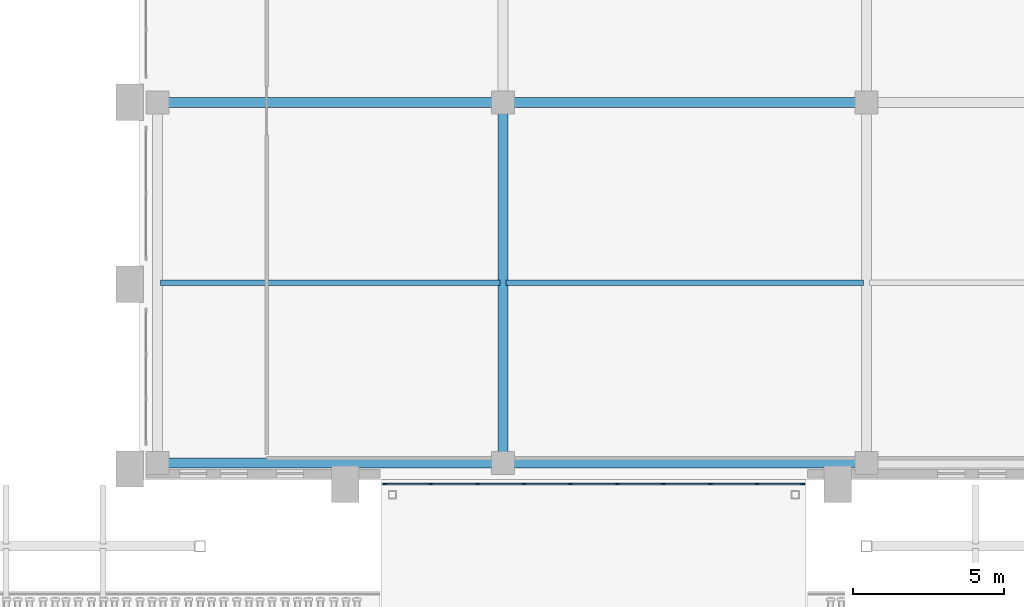
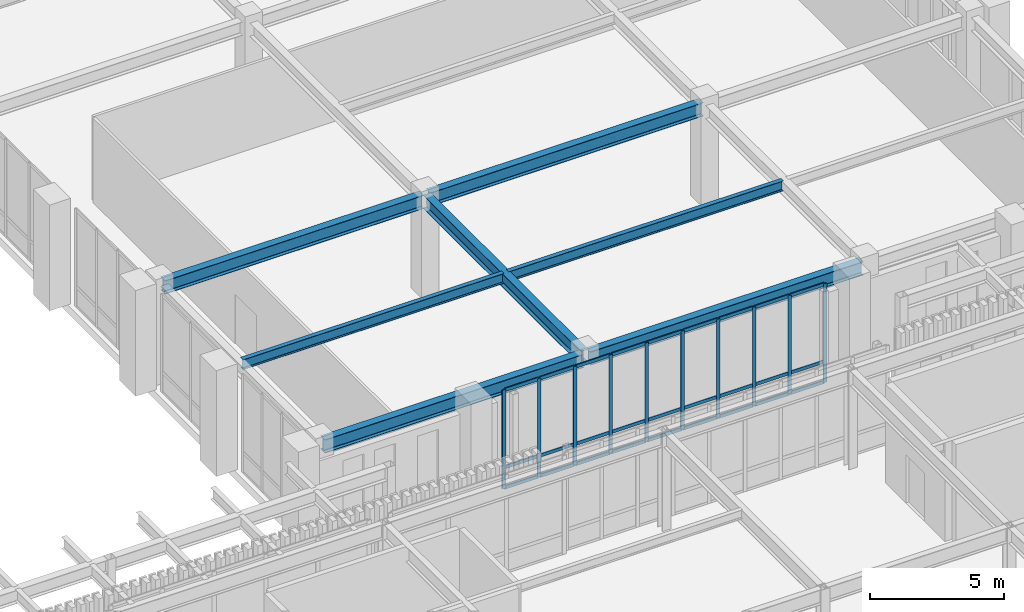
# One storey, part 60 of 126: 37 members, 7 beams, 1 element without a shape of its own.
"""IFC4 building model written with IfcOpenShell, lengths in metres."""

from ifc_helpers import new_model, si_unit, derived_unit, direction, frame, origin, origin_2d, place, context, subcontext, project, spatial, rectangle, i_section, extrude, material, layer, layer_set, material_profile, profile_set, type_object, element, aggregate, save


model = new_model("IFC4")

# Units and contexts
model_context = context("Model", 3, precision=1e-05, world=origin(), true_north=direction((0.0, 1.0)))
body_context = subcontext(model_context, "Body", "Model", "MODEL_VIEW")
ifc_project = project(units=[si_unit("LENGTHUNIT", "METRE"), si_unit("AREAUNIT", "SQUARE_METRE"), si_unit("VOLUMEUNIT", "CUBIC_METRE"), si_unit("PLANEANGLEUNIT", "RADIAN"), si_unit("MASSUNIT", "GRAM", prefix="KILO"), derived_unit("THERMALTRANSMITTANCEUNIT", [(si_unit("MASSUNIT", "GRAM", prefix="KILO"), 1), (si_unit("TIMEUNIT", "SECOND"), -3), (si_unit("THERMODYNAMICTEMPERATUREUNIT", "KELVIN"), -1)])], contexts=[model_context])

# Site, building, storey
site_placement = place(None, origin())
site = spatial("IfcSite", under=ifc_project, at=site_placement, CompositionType="ELEMENT")
building_placement = place(site_placement, origin())
building = spatial("IfcBuilding", under=site, at=building_placement, Name="Valcora Ridge Arena", CompositionType="ELEMENT")
storey_placement = place(building_placement, frame((0.0, 0.0, 11.39990234375)))
storey = spatial("IfcBuildingStorey", under=building, at=storey_placement, Name="L02", CompositionType="ELEMENT", Elevation=11.39990234375)

# Beams
ifc_material_1 = material(Name="Steel ASTM A572 Grade 50", Category="steel")
ifc_material_profile_1 = material_profile(ifc_material_1, i_section(OverallWidth=0.324951171875, OverallDepth=0.612060546875, WebThickness=0.0126953125, FlangeThickness=0.01904296875, FilletRadius=0.01806640625, at=origin_2d()), Name="W24X104")
ifc_profile_set_1 = profile_set([ifc_material_profile_1], Name="Steel ASTM A572 Grade 50")
beam_type_1 = type_object("IfcBeamType", Name="TY-BEAM-G-W24X104-X", PredefinedType="BEAM", material=ifc_profile_set_1)
beam_1_placement = place(storey_placement, frame((156.739990234375, 95.60009765625, 4.14404296875), z_axis=(1.0, 0.0, 0.0), x_axis=(0.0, 1.0, 0.0)))
element("IfcBeam", 1, at=beam_1_placement, inside=storey, type_object=beam_type_1, Name="G-W24X104-X BEM-G-W24X104-X-0063", PredefinedType="BEAM", context=body_context, shape_type="SweptSolid", body=[
    extrude(i_section(OverallWidth=0.324951171875, OverallDepth=0.612060546875, WebThickness=0.0126953125, FlangeThickness=0.01904296875, FilletRadius=0.01806640625, at=origin_2d()), origin(), (0.0, 0.0, 1.0), 11.1201171875),
])
beam_2_placement = place(storey_placement, frame((168.139892578125, 95.60009765625, 4.14404296875), z_axis=(1.0, 0.0, 0.0), x_axis=(0.0, 1.0, 0.0)))
element("IfcBeam", 2, at=beam_2_placement, inside=storey, type_object=beam_type_1, Name="G-W24X104-X BEM-G-W24X104-X-0064", PredefinedType="BEAM", context=body_context, shape_type="SweptSolid", body=[
    extrude(i_section(OverallWidth=0.324951171875, OverallDepth=0.612060546875, WebThickness=0.0126953125, FlangeThickness=0.01904296875, FilletRadius=0.01806640625, at=origin_2d()), origin(), (0.0, 0.0, 1.0), 11.72021484375),
])
ifc_material_profile_2 = material_profile(ifc_material_1, i_section(OverallWidth=0.324951171875, OverallDepth=0.612060546875, WebThickness=0.0126953125, FlangeThickness=0.01904296875, FilletRadius=0.01806640625, at=origin_2d()), Name="W24X104")
ifc_profile_set_2 = profile_set([ifc_material_profile_2], Name="Steel ASTM A572 Grade 50")
beam_type_2 = type_object("IfcBeamType", Name="TY-BEAM-G-W24X104-Y", PredefinedType="BEAM", material=ifc_profile_set_2)
beam_3_placement = place(storey_placement, frame((168.0, 83.840087890625, 4.14404296875), z_axis=(0.0, 1.0, 0.0), x_axis=(-1.0, 0.0, 0.0)))
element("IfcBeam", 3, at=beam_3_placement, inside=storey, type_object=beam_type_2, Name="G-W24X104-Y BEM-G-W24X104-Y-0097", PredefinedType="BEAM", context=body_context, shape_type="SweptSolid", body=[
    extrude(i_section(OverallWidth=0.324951171875, OverallDepth=0.612060546875, WebThickness=0.0126953125, FlangeThickness=0.01904296875, FilletRadius=0.01806640625, at=origin_2d()), origin(), (0.0, 0.0, 1.0), 11.619873046875),
])
ifc_material_profile_3 = material_profile(ifc_material_1, i_section(OverallWidth=0.18994140625, OverallDepth=0.45703125, WebThickness=0.009033203125, FlangeThickness=0.014404296875, FilletRadius=0.014892578125, at=origin_2d()), Name="W18X50")
ifc_profile_set_3 = profile_set([ifc_material_profile_3], Name="Steel ASTM A572 Grade 50")
beam_type_3 = type_object("IfcBeamType", Name="TY-BEAM-J-W18X50", PredefinedType="JOIST", material=ifc_profile_set_3)
beam_4_placement = place(storey_placement, frame((156.699951171875, 89.64990234375, 4.2216796875), z_axis=(1.0, 0.0, 0.0), x_axis=(0.0, 1.0, 0.0)))
element("IfcBeam", 4, at=beam_4_placement, inside=storey, type_object=beam_type_3, Name="J-W18X50 BEM-J-W18X50-0070", PredefinedType="JOIST", context=body_context, shape_type="SweptSolid", body=[
    extrude(i_section(OverallWidth=0.18994140625, OverallDepth=0.45703125, WebThickness=0.009033203125, FlangeThickness=0.014404296875, FilletRadius=0.014892578125, at=origin_2d()), origin(), (0.0, 0.0, 1.0), 11.199951171875),
])
beam_5_placement = place(storey_placement, frame((168.10009765625, 89.64990234375, 4.2216796875), z_axis=(1.0, 0.0, 0.0), x_axis=(0.0, 1.0, 0.0)))
element("IfcBeam", 5, at=beam_5_placement, inside=storey, type_object=beam_type_3, Name="J-W18X50 BEM-J-W18X50-0071", PredefinedType="JOIST", context=body_context, shape_type="SweptSolid", body=[
    extrude(i_section(OverallWidth=0.18994140625, OverallDepth=0.45703125, WebThickness=0.009033203125, FlangeThickness=0.014404296875, FilletRadius=0.014892578125, at=origin_2d()), origin(), (0.0, 0.0, 1.0), 11.7998046875),
])
ifc_material_profile_4 = material_profile(ifc_material_1, i_section(OverallWidth=0.324951171875, OverallDepth=0.612060546875, WebThickness=0.0126953125, FlangeThickness=0.01904296875, FilletRadius=0.01806640625, at=origin_2d()), Name="W24X104")
ifc_profile_set_4 = profile_set([ifc_material_profile_4], Name="Steel ASTM A572 Grade 50")
beam_type_4 = type_object("IfcBeamType", Name="TY-BEAM-SP-W24X104", PredefinedType="SPANDREL", material=ifc_profile_set_4)
beam_6_placement = place(storey_placement, frame((156.739990234375, 83.699951171875, 4.14404296875), z_axis=(1.0, 0.0, 0.0), x_axis=(0.0, 1.0, 0.0)))
element("IfcBeam", 6, at=beam_6_placement, inside=storey, type_object=beam_type_4, Name="SP-W24X104 BEM-SP-W24X104-0035", PredefinedType="SPANDREL", context=body_context, shape_type="SweptSolid", body=[
    extrude(i_section(OverallWidth=0.324951171875, OverallDepth=0.612060546875, WebThickness=0.0126953125, FlangeThickness=0.01904296875, FilletRadius=0.01806640625, at=origin_2d()), origin(), (0.0, 0.0, 1.0), 11.1201171875),
])
beam_7_placement = place(storey_placement, frame((168.139892578125, 83.699951171875, 4.14404296875), z_axis=(1.0, 0.0, 0.0), x_axis=(0.0, 1.0, 0.0)))
element("IfcBeam", 7, at=beam_7_placement, inside=storey, type_object=beam_type_4, Name="SP-W24X104 BEM-SP-W24X104-0036", PredefinedType="SPANDREL", context=body_context, shape_type="SweptSolid", body=[
    extrude(i_section(OverallWidth=0.324951171875, OverallDepth=0.612060546875, WebThickness=0.0126953125, FlangeThickness=0.01904296875, FilletRadius=0.01806640625, at=origin_2d()), origin(), (0.0, 0.0, 1.0), 11.72021484375),
])

# Curtain wall, members
ifc_material_2 = material(Name="Anodised dark bronze architectural aluminium 6063-T6", Category="aluminium")
ifc_layer = layer(ifc_material_2, 0.14990234375, Name="Anodised dark bronze architectural aluminium 6063-T6")
ifc_layer_set = layer_set([ifc_layer], Name="Anodised dark bronze architectural aluminium 6063-T6")
curtain_wall_type = type_object("IfcCurtainWallType", Name="TY-CURTAINWALL-CW-BRG-138X45", PredefinedType="NOTDEFINED", material=ifc_layer_set)
curtain_wall_placement = place(storey_placement, origin())
curtain_wall = element("IfcCurtainWall", 8, at=curtain_wall_placement, inside=storey, type_object=curtain_wall_type, Name="CW-BRG-138X45 CW-0359", PredefinedType="NOTDEFINED")
ifc_material_profile_5 = material_profile(ifc_material_2, rectangle(XDim=0.050048828125, YDim=0.14990234375, at=origin_2d()), Name="ALU MULLION 50x150")
ifc_profile_set_5 = profile_set([ifc_material_profile_5], Name="Anodised dark bronze architectural aluminium 6063-T6")
member_type_1 = type_object("IfcMemberType", Name="TY-MEM-CWM-50x150", PredefinedType="MULLION", material=ifc_profile_set_5)
member_1_placement = place(storey_placement, frame((164.10498046875, 83.0, 0.0), z_axis=(0.0, 0.0, 1.0), x_axis=(0.0, 1.0, 0.0)))
member_1 = element("IfcMember", 9, at=member_1_placement, type_object=member_type_1, Name="CW-0359/CWM-50x150/M00", PredefinedType="MULLION", context=body_context, shape_type="SweptSolid", body=[
    extrude(rectangle(XDim=0.050048828125, YDim=0.14990234375, at=origin_2d()), origin(), (0.0, 0.0, 1.0), 4.47998046875),
])
member_2_placement = place(storey_placement, frame((165.617919921875, 83.0, 0.0), z_axis=(0.0, 0.0, 1.0), x_axis=(0.0, 1.0, 0.0)))
member_2 = element("IfcMember", 10, at=member_2_placement, type_object=member_type_1, Name="CW-0359/CWM-50x150/M01", PredefinedType="MULLION", context=body_context, shape_type="SweptSolid", body=[
    extrude(rectangle(XDim=0.050048828125, YDim=0.14990234375, at=origin_2d()), origin(), (0.0, 0.0, 1.0), 4.47998046875),
])
member_3_placement = place(storey_placement, frame((167.155517578125, 83.0, 0.0), z_axis=(0.0, 0.0, 1.0), x_axis=(0.0, 1.0, 0.0)))
member_3 = element("IfcMember", 11, at=member_3_placement, type_object=member_type_1, Name="CW-0359/CWM-50x150/M02", PredefinedType="MULLION", context=body_context, shape_type="SweptSolid", body=[
    extrude(rectangle(XDim=0.050048828125, YDim=0.14990234375, at=origin_2d()), origin(), (0.0, 0.0, 1.0), 4.47998046875),
])
member_4_placement = place(storey_placement, frame((168.693359375, 83.0, 0.0), z_axis=(0.0, 0.0, 1.0), x_axis=(0.0, 1.0, 0.0)))
member_4 = element("IfcMember", 12, at=member_4_placement, type_object=member_type_1, Name="CW-0359/CWM-50x150/M03", PredefinedType="MULLION", context=body_context, shape_type="SweptSolid", body=[
    extrude(rectangle(XDim=0.050048828125, YDim=0.14990234375, at=origin_2d()), origin(), (0.0, 0.0, 1.0), 4.47998046875),
])
member_5_placement = place(storey_placement, frame((170.231201171875, 83.0, 0.0), z_axis=(0.0, 0.0, 1.0), x_axis=(0.0, 1.0, 0.0)))
member_5 = element("IfcMember", 13, at=member_5_placement, type_object=member_type_1, Name="CW-0359/CWM-50x150/M04", PredefinedType="MULLION", context=body_context, shape_type="SweptSolid", body=[
    extrude(rectangle(XDim=0.050048828125, YDim=0.14990234375, at=origin_2d()), origin(), (0.0, 0.0, 1.0), 4.47998046875),
])
member_6_placement = place(storey_placement, frame((171.768798828125, 83.0, 0.0), z_axis=(0.0, 0.0, 1.0), x_axis=(0.0, 1.0, 0.0)))
member_6 = element("IfcMember", 14, at=member_6_placement, type_object=member_type_1, Name="CW-0359/CWM-50x150/M05", PredefinedType="MULLION", context=body_context, shape_type="SweptSolid", body=[
    extrude(rectangle(XDim=0.050048828125, YDim=0.14990234375, at=origin_2d()), origin(), (0.0, 0.0, 1.0), 4.47998046875),
])
member_7_placement = place(storey_placement, frame((173.306640625, 83.0, 0.0), z_axis=(0.0, 0.0, 1.0), x_axis=(0.0, 1.0, 0.0)))
member_7 = element("IfcMember", 15, at=member_7_placement, type_object=member_type_1, Name="CW-0359/CWM-50x150/M06", PredefinedType="MULLION", context=body_context, shape_type="SweptSolid", body=[
    extrude(rectangle(XDim=0.050048828125, YDim=0.14990234375, at=origin_2d()), origin(), (0.0, 0.0, 1.0), 4.47998046875),
])
member_8_placement = place(storey_placement, frame((174.844482421875, 83.0, 0.0), z_axis=(0.0, 0.0, 1.0), x_axis=(0.0, 1.0, 0.0)))
member_8 = element("IfcMember", 16, at=member_8_placement, type_object=member_type_1, Name="CW-0359/CWM-50x150/M07", PredefinedType="MULLION", context=body_context, shape_type="SweptSolid", body=[
    extrude(rectangle(XDim=0.050048828125, YDim=0.14990234375, at=origin_2d()), origin(), (0.0, 0.0, 1.0), 4.47998046875),
])
member_9_placement = place(storey_placement, frame((176.382080078125, 83.0, 0.0), z_axis=(0.0, 0.0, 1.0), x_axis=(0.0, 1.0, 0.0)))
member_9 = element("IfcMember", 17, at=member_9_placement, type_object=member_type_1, Name="CW-0359/CWM-50x150/M08", PredefinedType="MULLION", context=body_context, shape_type="SweptSolid", body=[
    extrude(rectangle(XDim=0.050048828125, YDim=0.14990234375, at=origin_2d()), origin(), (0.0, 0.0, 1.0), 4.47998046875),
])
member_10_placement = place(storey_placement, frame((177.89501953125, 83.0, 0.0), z_axis=(0.0, 0.0, 1.0), x_axis=(0.0, 1.0, 0.0)))
member_10 = element("IfcMember", 18, at=member_10_placement, type_object=member_type_1, Name="CW-0359/CWM-50x150/M09", PredefinedType="MULLION", context=body_context, shape_type="SweptSolid", body=[
    extrude(rectangle(XDim=0.050048828125, YDim=0.14990234375, at=origin_2d()), origin(), (0.0, 0.0, 1.0), 4.47998046875),
])
ifc_material_profile_6 = material_profile(ifc_material_2, rectangle(XDim=0.050048828125, YDim=0.14990234375, at=origin_2d()), Name="ALU TRANSOM 50x150")
ifc_profile_set_6 = profile_set([ifc_material_profile_6], Name="Anodised dark bronze architectural aluminium 6063-T6")
member_type_2 = type_object("IfcMemberType", Name="TY-MEM-CWT-50x150", PredefinedType="USERDEFINED", material=ifc_profile_set_6)
member_11_placement = place(storey_placement, frame((164.1298828125, 83.0, 0.025146484375), z_axis=(1.0, 0.0, 0.0), x_axis=(0.0, 1.0, 0.0)))
member_11 = element("IfcMember", 19, at=member_11_placement, type_object=member_type_2, Name="CW-0359/CWT-50x150/T00-00", ObjectType="TRANSOM", PredefinedType="USERDEFINED", context=body_context, shape_type="SweptSolid", body=[
    extrude(rectangle(XDim=0.050048828125, YDim=0.14990234375, at=origin_2d()), origin(), (0.0, 0.0, 1.0), 1.463134765625),
])
member_12_placement = place(storey_placement, frame((164.1298828125, 83.0, 0.9501953125), z_axis=(1.0, 0.0, 0.0), x_axis=(0.0, 1.0, 0.0)))
member_12 = element("IfcMember", 20, at=member_12_placement, type_object=member_type_2, Name="CW-0359/CWT-50x150/T00-01", ObjectType="TRANSOM", PredefinedType="USERDEFINED", context=body_context, shape_type="SweptSolid", body=[
    extrude(rectangle(XDim=0.050048828125, YDim=0.14990234375, at=origin_2d()), origin(), (0.0, 0.0, 1.0), 1.463134765625),
])
member_13_placement = place(storey_placement, frame((164.1298828125, 83.0, 4.455078125), z_axis=(1.0, 0.0, 0.0), x_axis=(0.0, 1.0, 0.0)))
member_13 = element("IfcMember", 21, at=member_13_placement, type_object=member_type_2, Name="CW-0359/CWT-50x150/T00-02", ObjectType="TRANSOM", PredefinedType="USERDEFINED", context=body_context, shape_type="SweptSolid", body=[
    extrude(rectangle(XDim=0.050048828125, YDim=0.14990234375, at=origin_2d()), origin(), (0.0, 0.0, 1.0), 1.463134765625),
])
member_14_placement = place(storey_placement, frame((165.64306640625, 83.0, 0.025146484375), z_axis=(1.0, 0.0, 0.0), x_axis=(0.0, 1.0, 0.0)))
member_14 = element("IfcMember", 22, at=member_14_placement, type_object=member_type_2, Name="CW-0359/CWT-50x150/T01-00", ObjectType="TRANSOM", PredefinedType="USERDEFINED", context=body_context, shape_type="SweptSolid", body=[
    extrude(rectangle(XDim=0.050048828125, YDim=0.14990234375, at=origin_2d()), origin(), (0.0, 0.0, 1.0), 1.488037109375),
])
member_15_placement = place(storey_placement, frame((165.64306640625, 83.0, 0.9501953125), z_axis=(1.0, 0.0, 0.0), x_axis=(0.0, 1.0, 0.0)))
member_15 = element("IfcMember", 23, at=member_15_placement, type_object=member_type_2, Name="CW-0359/CWT-50x150/T01-01", ObjectType="TRANSOM", PredefinedType="USERDEFINED", context=body_context, shape_type="SweptSolid", body=[
    extrude(rectangle(XDim=0.050048828125, YDim=0.14990234375, at=origin_2d()), origin(), (0.0, 0.0, 1.0), 1.488037109375),
])
member_16_placement = place(storey_placement, frame((165.64306640625, 83.0, 4.455078125), z_axis=(1.0, 0.0, 0.0), x_axis=(0.0, 1.0, 0.0)))
member_16 = element("IfcMember", 24, at=member_16_placement, type_object=member_type_2, Name="CW-0359/CWT-50x150/T01-02", ObjectType="TRANSOM", PredefinedType="USERDEFINED", context=body_context, shape_type="SweptSolid", body=[
    extrude(rectangle(XDim=0.050048828125, YDim=0.14990234375, at=origin_2d()), origin(), (0.0, 0.0, 1.0), 1.488037109375),
])
member_17_placement = place(storey_placement, frame((167.180908203125, 83.0, 0.025146484375), z_axis=(1.0, 0.0, 0.0), x_axis=(0.0, 1.0, 0.0)))
member_17 = element("IfcMember", 25, at=member_17_placement, type_object=member_type_2, Name="CW-0359/CWT-50x150/T02-00", ObjectType="TRANSOM", PredefinedType="USERDEFINED", context=body_context, shape_type="SweptSolid", body=[
    extrude(rectangle(XDim=0.050048828125, YDim=0.14990234375, at=origin_2d()), origin(), (0.0, 0.0, 1.0), 1.487060546875),
])
member_18_placement = place(storey_placement, frame((167.180908203125, 83.0, 0.9501953125), z_axis=(1.0, 0.0, 0.0), x_axis=(0.0, 1.0, 0.0)))
member_18 = element("IfcMember", 26, at=member_18_placement, type_object=member_type_2, Name="CW-0359/CWT-50x150/T02-01", ObjectType="TRANSOM", PredefinedType="USERDEFINED", context=body_context, shape_type="SweptSolid", body=[
    extrude(rectangle(XDim=0.050048828125, YDim=0.14990234375, at=origin_2d()), origin(), (0.0, 0.0, 1.0), 1.487060546875),
])
member_19_placement = place(storey_placement, frame((167.180908203125, 83.0, 4.455078125), z_axis=(1.0, 0.0, 0.0), x_axis=(0.0, 1.0, 0.0)))
member_19 = element("IfcMember", 27, at=member_19_placement, type_object=member_type_2, Name="CW-0359/CWT-50x150/T02-02", ObjectType="TRANSOM", PredefinedType="USERDEFINED", context=body_context, shape_type="SweptSolid", body=[
    extrude(rectangle(XDim=0.050048828125, YDim=0.14990234375, at=origin_2d()), origin(), (0.0, 0.0, 1.0), 1.487060546875),
])
member_20_placement = place(storey_placement, frame((168.718017578125, 83.0, 0.025146484375), z_axis=(1.0, 0.0, 0.0), x_axis=(0.0, 1.0, 0.0)))
member_20 = element("IfcMember", 28, at=member_20_placement, type_object=member_type_2, Name="CW-0359/CWT-50x150/T03-00", ObjectType="TRANSOM", PredefinedType="USERDEFINED", context=body_context, shape_type="SweptSolid", body=[
    extrude(rectangle(XDim=0.050048828125, YDim=0.14990234375, at=origin_2d()), origin(), (0.0, 0.0, 1.0), 1.488037109375),
])
member_21_placement = place(storey_placement, frame((168.718017578125, 83.0, 0.9501953125), z_axis=(1.0, 0.0, 0.0), x_axis=(0.0, 1.0, 0.0)))
member_21 = element("IfcMember", 29, at=member_21_placement, type_object=member_type_2, Name="CW-0359/CWT-50x150/T03-01", ObjectType="TRANSOM", PredefinedType="USERDEFINED", context=body_context, shape_type="SweptSolid", body=[
    extrude(rectangle(XDim=0.050048828125, YDim=0.14990234375, at=origin_2d()), origin(), (0.0, 0.0, 1.0), 1.488037109375),
])
member_22_placement = place(storey_placement, frame((168.718017578125, 83.0, 4.455078125), z_axis=(1.0, 0.0, 0.0), x_axis=(0.0, 1.0, 0.0)))
member_22 = element("IfcMember", 30, at=member_22_placement, type_object=member_type_2, Name="CW-0359/CWT-50x150/T03-02", ObjectType="TRANSOM", PredefinedType="USERDEFINED", context=body_context, shape_type="SweptSolid", body=[
    extrude(rectangle(XDim=0.050048828125, YDim=0.14990234375, at=origin_2d()), origin(), (0.0, 0.0, 1.0), 1.488037109375),
])
member_23_placement = place(storey_placement, frame((170.256103515625, 83.0, 0.025146484375), z_axis=(1.0, 0.0, 0.0), x_axis=(0.0, 1.0, 0.0)))
member_23 = element("IfcMember", 31, at=member_23_placement, type_object=member_type_2, Name="CW-0359/CWT-50x150/T04-00", ObjectType="TRANSOM", PredefinedType="USERDEFINED", context=body_context, shape_type="SweptSolid", body=[
    extrude(rectangle(XDim=0.050048828125, YDim=0.14990234375, at=origin_2d()), origin(), (0.0, 0.0, 1.0), 1.48779296875),
])
member_24_placement = place(storey_placement, frame((170.256103515625, 83.0, 0.9501953125), z_axis=(1.0, 0.0, 0.0), x_axis=(0.0, 1.0, 0.0)))
member_24 = element("IfcMember", 32, at=member_24_placement, type_object=member_type_2, Name="CW-0359/CWT-50x150/T04-01", ObjectType="TRANSOM", PredefinedType="USERDEFINED", context=body_context, shape_type="SweptSolid", body=[
    extrude(rectangle(XDim=0.050048828125, YDim=0.14990234375, at=origin_2d()), origin(), (0.0, 0.0, 1.0), 1.48779296875),
])
member_25_placement = place(storey_placement, frame((170.256103515625, 83.0, 4.455078125), z_axis=(1.0, 0.0, 0.0), x_axis=(0.0, 1.0, 0.0)))
member_25 = element("IfcMember", 33, at=member_25_placement, type_object=member_type_2, Name="CW-0359/CWT-50x150/T04-02", ObjectType="TRANSOM", PredefinedType="USERDEFINED", context=body_context, shape_type="SweptSolid", body=[
    extrude(rectangle(XDim=0.050048828125, YDim=0.14990234375, at=origin_2d()), origin(), (0.0, 0.0, 1.0), 1.48779296875),
])
member_26_placement = place(storey_placement, frame((171.7939453125, 83.0, 0.025146484375), z_axis=(1.0, 0.0, 0.0), x_axis=(0.0, 1.0, 0.0)))
member_26 = element("IfcMember", 34, at=member_26_placement, type_object=member_type_2, Name="CW-0359/CWT-50x150/T05-00", ObjectType="TRANSOM", PredefinedType="USERDEFINED", context=body_context, shape_type="SweptSolid", body=[
    extrude(rectangle(XDim=0.050048828125, YDim=0.14990234375, at=origin_2d()), origin(), (0.0, 0.0, 1.0), 1.488037109375),
])
member_27_placement = place(storey_placement, frame((171.7939453125, 83.0, 0.9501953125), z_axis=(1.0, 0.0, 0.0), x_axis=(0.0, 1.0, 0.0)))
member_27 = element("IfcMember", 35, at=member_27_placement, type_object=member_type_2, Name="CW-0359/CWT-50x150/T05-01", ObjectType="TRANSOM", PredefinedType="USERDEFINED", context=body_context, shape_type="SweptSolid", body=[
    extrude(rectangle(XDim=0.050048828125, YDim=0.14990234375, at=origin_2d()), origin(), (0.0, 0.0, 1.0), 1.488037109375),
])
member_28_placement = place(storey_placement, frame((171.7939453125, 83.0, 4.455078125), z_axis=(1.0, 0.0, 0.0), x_axis=(0.0, 1.0, 0.0)))
member_28 = element("IfcMember", 36, at=member_28_placement, type_object=member_type_2, Name="CW-0359/CWT-50x150/T05-02", ObjectType="TRANSOM", PredefinedType="USERDEFINED", context=body_context, shape_type="SweptSolid", body=[
    extrude(rectangle(XDim=0.050048828125, YDim=0.14990234375, at=origin_2d()), origin(), (0.0, 0.0, 1.0), 1.488037109375),
])
member_29_placement = place(storey_placement, frame((173.33203125, 83.0, 0.025146484375), z_axis=(1.0, 0.0, 0.0), x_axis=(0.0, 1.0, 0.0)))
member_29 = element("IfcMember", 37, at=member_29_placement, type_object=member_type_2, Name="CW-0359/CWT-50x150/T06-00", ObjectType="TRANSOM", PredefinedType="USERDEFINED", context=body_context, shape_type="SweptSolid", body=[
    extrude(rectangle(XDim=0.050048828125, YDim=0.14990234375, at=origin_2d()), origin(), (0.0, 0.0, 1.0), 1.487060546875),
])
member_30_placement = place(storey_placement, frame((173.33203125, 83.0, 0.9501953125), z_axis=(1.0, 0.0, 0.0), x_axis=(0.0, 1.0, 0.0)))
member_30 = element("IfcMember", 38, at=member_30_placement, type_object=member_type_2, Name="CW-0359/CWT-50x150/T06-01", ObjectType="TRANSOM", PredefinedType="USERDEFINED", context=body_context, shape_type="SweptSolid", body=[
    extrude(rectangle(XDim=0.050048828125, YDim=0.14990234375, at=origin_2d()), origin(), (0.0, 0.0, 1.0), 1.487060546875),
])
member_31_placement = place(storey_placement, frame((173.33203125, 83.0, 4.455078125), z_axis=(1.0, 0.0, 0.0), x_axis=(0.0, 1.0, 0.0)))
member_31 = element("IfcMember", 39, at=member_31_placement, type_object=member_type_2, Name="CW-0359/CWT-50x150/T06-02", ObjectType="TRANSOM", PredefinedType="USERDEFINED", context=body_context, shape_type="SweptSolid", body=[
    extrude(rectangle(XDim=0.050048828125, YDim=0.14990234375, at=origin_2d()), origin(), (0.0, 0.0, 1.0), 1.487060546875),
])
member_32_placement = place(storey_placement, frame((174.868896484375, 83.0, 0.025146484375), z_axis=(1.0, 0.0, 0.0), x_axis=(0.0, 1.0, 0.0)))
member_32 = element("IfcMember", 40, at=member_32_placement, type_object=member_type_2, Name="CW-0359/CWT-50x150/T07-00", ObjectType="TRANSOM", PredefinedType="USERDEFINED", context=body_context, shape_type="SweptSolid", body=[
    extrude(rectangle(XDim=0.050048828125, YDim=0.14990234375, at=origin_2d()), origin(), (0.0, 0.0, 1.0), 1.488037109375),
])
member_33_placement = place(storey_placement, frame((174.868896484375, 83.0, 0.9501953125), z_axis=(1.0, 0.0, 0.0), x_axis=(0.0, 1.0, 0.0)))
member_33 = element("IfcMember", 41, at=member_33_placement, type_object=member_type_2, Name="CW-0359/CWT-50x150/T07-01", ObjectType="TRANSOM", PredefinedType="USERDEFINED", context=body_context, shape_type="SweptSolid", body=[
    extrude(rectangle(XDim=0.050048828125, YDim=0.14990234375, at=origin_2d()), origin(), (0.0, 0.0, 1.0), 1.488037109375),
])
member_34_placement = place(storey_placement, frame((174.868896484375, 83.0, 4.455078125), z_axis=(1.0, 0.0, 0.0), x_axis=(0.0, 1.0, 0.0)))
member_34 = element("IfcMember", 42, at=member_34_placement, type_object=member_type_2, Name="CW-0359/CWT-50x150/T07-02", ObjectType="TRANSOM", PredefinedType="USERDEFINED", context=body_context, shape_type="SweptSolid", body=[
    extrude(rectangle(XDim=0.050048828125, YDim=0.14990234375, at=origin_2d()), origin(), (0.0, 0.0, 1.0), 1.488037109375),
])
member_35_placement = place(storey_placement, frame((176.406982421875, 83.0, 0.025146484375), z_axis=(1.0, 0.0, 0.0), x_axis=(0.0, 1.0, 0.0)))
member_35 = element("IfcMember", 43, at=member_35_placement, type_object=member_type_2, Name="CW-0359/CWT-50x150/T08-00", ObjectType="TRANSOM", PredefinedType="USERDEFINED", context=body_context, shape_type="SweptSolid", body=[
    extrude(rectangle(XDim=0.050048828125, YDim=0.14990234375, at=origin_2d()), origin(), (0.0, 0.0, 1.0), 1.463134765625),
])
member_36_placement = place(storey_placement, frame((176.406982421875, 83.0, 0.9501953125), z_axis=(1.0, 0.0, 0.0), x_axis=(0.0, 1.0, 0.0)))
member_36 = element("IfcMember", 44, at=member_36_placement, type_object=member_type_2, Name="CW-0359/CWT-50x150/T08-01", ObjectType="TRANSOM", PredefinedType="USERDEFINED", context=body_context, shape_type="SweptSolid", body=[
    extrude(rectangle(XDim=0.050048828125, YDim=0.14990234375, at=origin_2d()), origin(), (0.0, 0.0, 1.0), 1.463134765625),
])
member_37_placement = place(storey_placement, frame((176.406982421875, 83.0, 4.455078125), z_axis=(1.0, 0.0, 0.0), x_axis=(0.0, 1.0, 0.0)))
member_37 = element("IfcMember", 45, at=member_37_placement, type_object=member_type_2, Name="CW-0359/CWT-50x150/T08-02", ObjectType="TRANSOM", PredefinedType="USERDEFINED", context=body_context, shape_type="SweptSolid", body=[
    extrude(rectangle(XDim=0.050048828125, YDim=0.14990234375, at=origin_2d()), origin(), (0.0, 0.0, 1.0), 1.463134765625),
])
aggregate(curtain_wall, [member_1, member_2, member_3, member_4, member_5, member_6, member_7, member_8, member_9, member_10, member_11, member_12, member_13, member_14, member_15, member_16, member_17, member_18, member_19, member_20, member_21, member_22, member_23, member_24, member_25, member_26, member_27, member_28, member_29, member_30, member_31, member_32, member_33, member_34, member_35, member_36, member_37])

save(model, "model.ifc")
